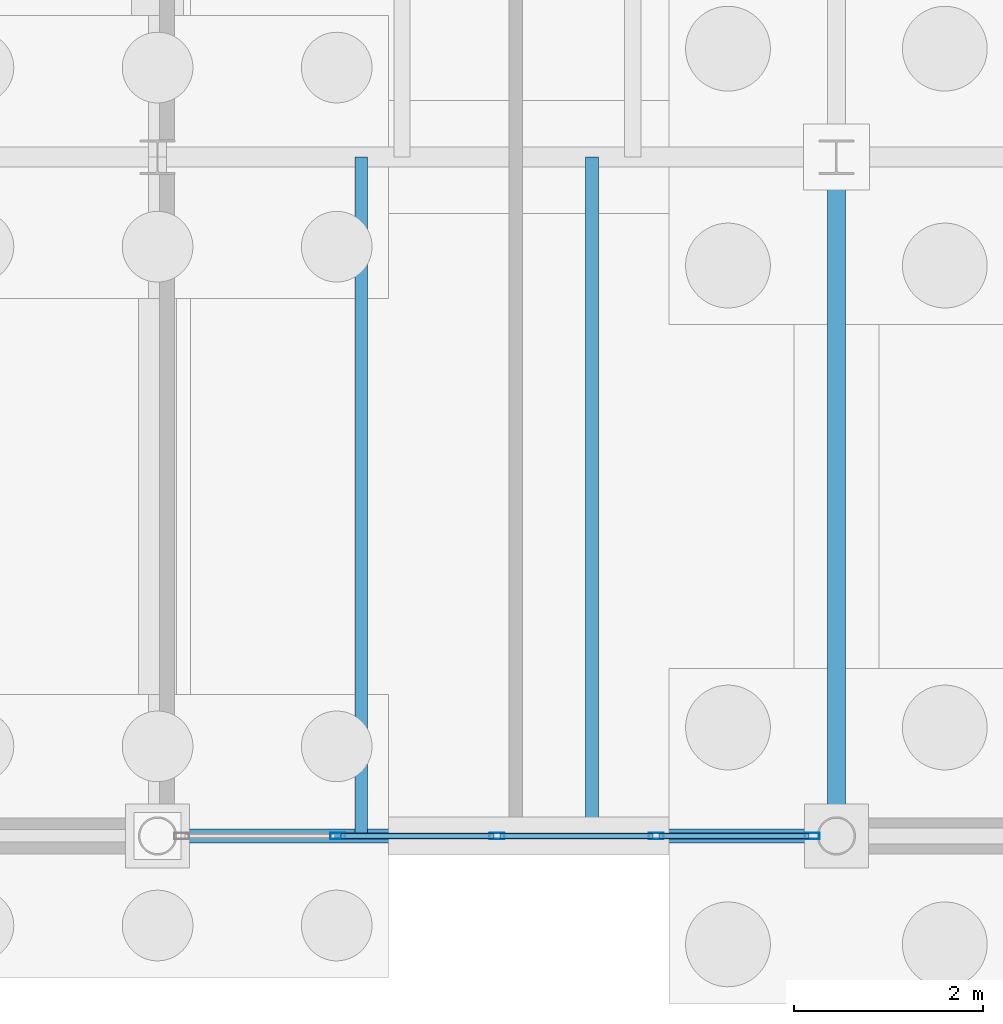
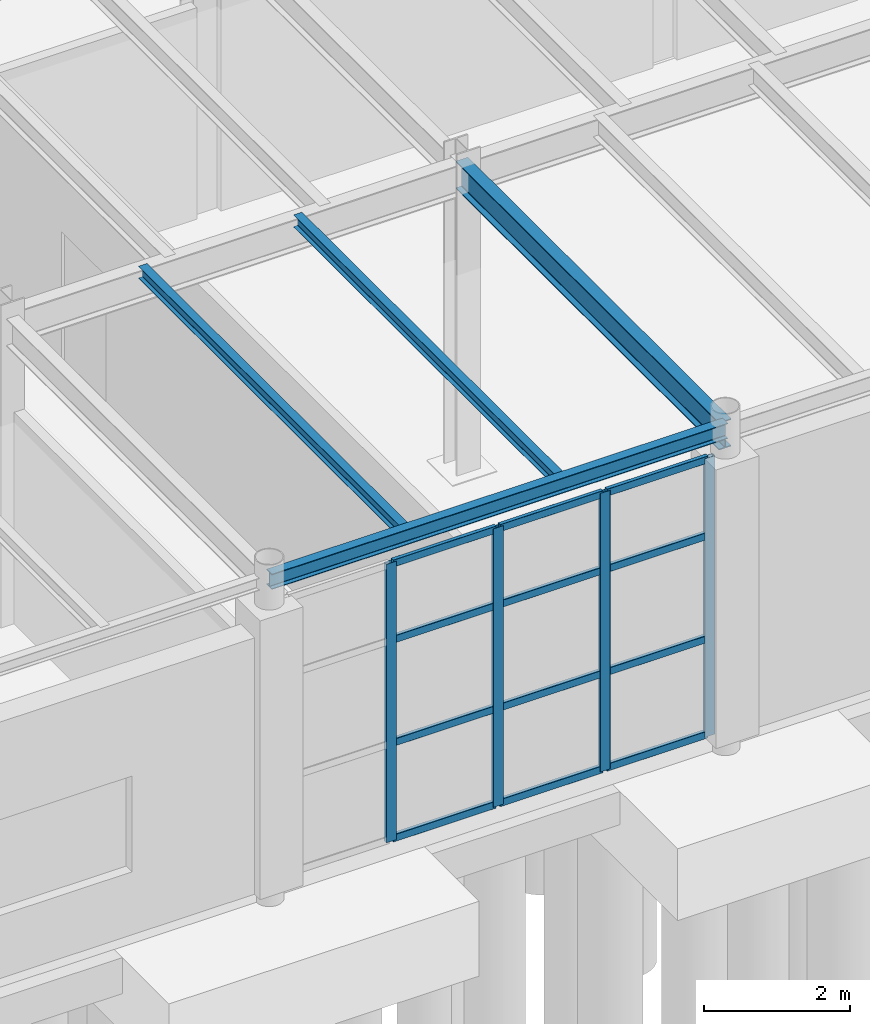
# One storey, part 43 of 293: 16 members, 4 beams, 1 element without a shape of its own.
"""IFC4 building model written with IfcOpenShell, lengths in metres."""

from ifc_helpers import new_model, si_unit, direction, frame, origin, origin_2d, place, context, subcontext, project, spatial, hollow_rectangle, i_section, extrude, material, layer, layer_set, material_profile, profile_set, type_object, element, aggregate, save


model = new_model("IFC4")

# Units and contexts
model_context = context("Model", 3, precision=1e-05, world=origin(), true_north=direction((0.0, 1.0)))
body_context = subcontext(model_context, "Body", "Model", "MODEL_VIEW")
ifc_project = project(units=[si_unit("LENGTHUNIT", "METRE"), si_unit("AREAUNIT", "SQUARE_METRE"), si_unit("VOLUMEUNIT", "CUBIC_METRE"), si_unit("PLANEANGLEUNIT", "RADIAN"), si_unit("MASSUNIT", "GRAM", prefix="KILO")], contexts=[model_context])

# Site, building, storey
site_placement = place(None, origin())
site = spatial("IfcSite", under=ifc_project, at=site_placement, CompositionType="ELEMENT")
building_placement = place(site_placement, origin())
building = spatial("IfcBuilding", under=site, at=building_placement, Name="Kemerveld Promenade Tramway Depot", CompositionType="ELEMENT")
storey_placement = place(building_placement, origin())
storey = spatial("IfcBuildingStorey", under=building, at=storey_placement, Name="L00", CompositionType="ELEMENT", Elevation=0.0)

# Beams
ifc_material_1 = material(Name="Steel S355", Category="steel")
ifc_material_profile_1 = material_profile(ifc_material_1, i_section(OverallWidth=0.19140625, OverallDepth=0.4599609375, WebThickness=0.010009765625, FlangeThickness=0.01611328125, FilletRadius=0.01025390625, at=origin_2d()), Name="457x191x82 UB")
ifc_profile_set_1 = profile_set([ifc_material_profile_1], Name="Steel S355")
beam_type_1 = type_object("IfcBeamType", Name="BM-G06", PredefinedType="BEAM", material=ifc_profile_set_1)
beam_1_placement = place(storey_placement, frame((21.60009765625, 0.0, 4.919921875), z_axis=(0.0, 1.0, 0.0), x_axis=(-1.0, 0.0, 0.0)))
element("IfcBeam", 1, at=beam_1_placement, inside=storey, type_object=beam_type_1, Name="BMY-L00-04-A-B", PredefinedType="BEAM", context=body_context, shape_type="SweptSolid", body=[
    extrude(i_section(OverallWidth=0.19140625, OverallDepth=0.4599609375, WebThickness=0.010009765625, FlangeThickness=0.01611328125, FilletRadius=0.01025390625, at=origin_2d()), origin(), (0.0, 0.0, 1.0), 7.199951171875),
])
ifc_material_profile_2 = material_profile(ifc_material_1, i_section(OverallWidth=0.146484375, OverallDepth=0.256103515625, WebThickness=0.00634765625, FlangeThickness=0.010986328125, FilletRadius=0.007568359375, at=origin_2d()), Name="254x146x37 UB")
ifc_profile_set_2 = profile_set([ifc_material_profile_2], Name="Steel S355")
beam_type_2 = type_object("IfcBeamType", Name="BM-G15", PredefinedType="BEAM", material=ifc_profile_set_2)
beam_2_placement = place(storey_placement, frame((14.39990234375, 0.0, 5.02197265625), z_axis=(1.0, 0.0, 0.0), x_axis=(0.0, 1.0, 0.0)))
element("IfcBeam", 2, at=beam_2_placement, inside=storey, type_object=beam_type_2, Name="BMX-L00-03-04-A", PredefinedType="BEAM", context=body_context, shape_type="SweptSolid", body=[
    extrude(i_section(OverallWidth=0.146484375, OverallDepth=0.256103515625, WebThickness=0.00634765625, FlangeThickness=0.010986328125, FilletRadius=0.007568359375, at=origin_2d()), origin(), (0.0, 0.0, 1.0), 7.2001953125),
])
ifc_material_profile_3 = material_profile(ifc_material_1, i_section(OverallWidth=0.13330078125, OverallDepth=0.203125, WebThickness=0.005615234375, FlangeThickness=0.0078125, FilletRadius=0.007568359375, at=origin_2d()), Name="203x133x25 UB")
ifc_profile_set_3 = profile_set([ifc_material_profile_3], Name="Steel S355")
beam_type_3 = type_object("IfcBeamType", Name="BM-J03", PredefinedType="JOIST", material=ifc_profile_set_3)
for number, where, z_axis, x_axis, name in (
    (3, (16.56005859375, 0.0, 5.04833984375), (0.0, 1.0, 0.0), (-1.0, 0.0, 0.0), "JST-L00-03-A-1"),
    (4, (19.008056640625, 0.0, 5.04833984375), (0.0, 1.0, 0.0), (-1.0, 0.0, 0.0), "JST-L00-03-A-2"),
):
    element("IfcBeam", number, at=place(storey_placement, frame(where, z_axis=z_axis, x_axis=x_axis)), inside=storey, type_object=beam_type_3, Name=name, PredefinedType="JOIST", context=body_context, shape_type="SweptSolid", body=[
        extrude(i_section(OverallWidth=0.13330078125, OverallDepth=0.203125, WebThickness=0.005615234375, FlangeThickness=0.0078125, FilletRadius=0.007568359375, at=origin_2d()), origin(), (0.0, 0.0, 1.0), 7.199951171875),
    ])

# Curtain wall, members
ifc_material_2 = material(Name="Bronze anodised aluminium and solar glass", Category="aluminium")
ifc_layer = layer(ifc_material_2, 0.159912109375)
ifc_layer_set = layer_set([ifc_layer], Name="CW-SYS-09")
curtain_wall_type = type_object("IfcCurtainWallType", Name="CW-SYS-09", PredefinedType="USERDEFINED", material=ifc_layer_set)
curtain_wall_placement = place(storey_placement, origin())
curtain_wall = element("IfcCurtainWall", 5, at=curtain_wall_placement, inside=storey, type_object=curtain_wall_type, Name="CW-L00-V5S-06", ObjectType="GLAZED_CURTAIN_WALL", PredefinedType="USERDEFINED")
ifc_material_3 = material(Name="Bronze anodised aluminium", Category="aluminium")
ifc_material_profile_4 = material_profile(ifc_material_3, hollow_rectangle(XDim=0.06494140625, YDim=0.159912109375, WallThickness=0.00390625, InnerFilletRadius=0.001953125, OuterFilletRadius=0.00390625, at=origin_2d()), Name="CW-MUL-160x65")
ifc_profile_set_4 = profile_set([ifc_material_profile_4], Name="Bronze anodised aluminium")
member_type_1 = type_object("IfcMemberType", Name="CW-MUL-A", PredefinedType="MULLION", material=ifc_profile_set_4)
member_1_placement = place(storey_placement, frame((21.34423828125, 0.0, 0.0), z_axis=(0.0, 0.0, 1.0), x_axis=(0.0, -1.0, 0.0)))
member_1 = element("IfcMember", 6, at=member_1_placement, type_object=member_type_1, Name="CW09 mullion 1", PredefinedType="MULLION", context=body_context, shape_type="SweptSolid", body=[
    extrude(hollow_rectangle(XDim=0.06494140625, YDim=0.159912109375, WallThickness=0.00390625, InnerFilletRadius=0.001953125, OuterFilletRadius=0.00390625, at=origin_2d()), origin(), (0.0, 0.0, 1.0), 4.64990234375),
])
member_2_placement = place(storey_placement, frame((19.6884765625, 0.0, 0.0), z_axis=(0.0, 0.0, 1.0), x_axis=(0.0, -1.0, 0.0)))
member_2 = element("IfcMember", 7, at=member_2_placement, type_object=member_type_1, Name="CW09 mullion 2", PredefinedType="MULLION", context=body_context, shape_type="SweptSolid", body=[
    extrude(hollow_rectangle(XDim=0.06494140625, YDim=0.159912109375, WallThickness=0.00390625, InnerFilletRadius=0.001953125, OuterFilletRadius=0.00390625, at=origin_2d()), origin(), (0.0, 0.0, 1.0), 4.64990234375),
])
member_3_placement = place(storey_placement, frame((18.0, 0.0, 0.0), z_axis=(0.0, 0.0, 1.0), x_axis=(0.0, -1.0, 0.0)))
member_3 = element("IfcMember", 8, at=member_3_placement, type_object=member_type_1, Name="CW09 mullion 3", PredefinedType="MULLION", context=body_context, shape_type="SweptSolid", body=[
    extrude(hollow_rectangle(XDim=0.06494140625, YDim=0.159912109375, WallThickness=0.00390625, InnerFilletRadius=0.001953125, OuterFilletRadius=0.00390625, at=origin_2d()), origin(), (0.0, 0.0, 1.0), 4.64990234375),
])
member_4_placement = place(storey_placement, frame((16.3115234375, 0.0, 0.0), z_axis=(0.0, 0.0, 1.0), x_axis=(0.0, -1.0, 0.0)))
member_4 = element("IfcMember", 9, at=member_4_placement, type_object=member_type_1, Name="CW09 mullion 4", PredefinedType="MULLION", context=body_context, shape_type="SweptSolid", body=[
    extrude(hollow_rectangle(XDim=0.06494140625, YDim=0.159912109375, WallThickness=0.00390625, InnerFilletRadius=0.001953125, OuterFilletRadius=0.00390625, at=origin_2d()), origin(), (0.0, 0.0, 1.0), 4.64990234375),
])
ifc_material_profile_5 = material_profile(ifc_material_3, hollow_rectangle(XDim=0.06005859375, YDim=0.1201171875, WallThickness=0.00390625, InnerFilletRadius=0.001953125, OuterFilletRadius=0.00390625, at=origin_2d()), Name="CW-TRN-120x60")
ifc_profile_set_5 = profile_set([ifc_material_profile_5], Name="Bronze anodised aluminium")
member_type_2 = type_object("IfcMemberType", Name="CW-TRN-A", PredefinedType="USERDEFINED", material=ifc_profile_set_5)
member_5_placement = place(storey_placement, frame((21.311767578125, 0.0, 0.030029296875), z_axis=(-1.0, 0.0, 0.0), x_axis=(0.0, -1.0, 0.0)))
member_5 = element("IfcMember", 10, at=member_5_placement, type_object=member_type_2, Name="CW09 transom 1.1", ObjectType="TRANSOM", PredefinedType="USERDEFINED", context=body_context, shape_type="SweptSolid", body=[
    extrude(hollow_rectangle(XDim=0.06005859375, YDim=0.1201171875, WallThickness=0.00390625, InnerFilletRadius=0.001953125, OuterFilletRadius=0.00390625, at=origin_2d()), origin(), (0.0, 0.0, 1.0), 1.5908203125),
])
member_6_placement = place(storey_placement, frame((21.311767578125, 0.0, 1.626953125), z_axis=(-1.0, 0.0, 0.0), x_axis=(0.0, -1.0, 0.0)))
member_6 = element("IfcMember", 11, at=member_6_placement, type_object=member_type_2, Name="CW09 transom 1.2", ObjectType="TRANSOM", PredefinedType="USERDEFINED", context=body_context, shape_type="SweptSolid", body=[
    extrude(hollow_rectangle(XDim=0.06005859375, YDim=0.1201171875, WallThickness=0.00390625, InnerFilletRadius=0.001953125, OuterFilletRadius=0.00390625, at=origin_2d()), origin(), (0.0, 0.0, 1.0), 1.5908203125),
])
member_7_placement = place(storey_placement, frame((21.311767578125, 0.0, 3.347900390625), z_axis=(-1.0, 0.0, 0.0), x_axis=(0.0, -1.0, 0.0)))
member_7 = element("IfcMember", 12, at=member_7_placement, type_object=member_type_2, Name="CW09 transom 1.3", ObjectType="TRANSOM", PredefinedType="USERDEFINED", context=body_context, shape_type="SweptSolid", body=[
    extrude(hollow_rectangle(XDim=0.06005859375, YDim=0.1201171875, WallThickness=0.00390625, InnerFilletRadius=0.001953125, OuterFilletRadius=0.00390625, at=origin_2d()), origin(), (0.0, 0.0, 1.0), 1.5908203125),
])
member_8_placement = place(storey_placement, frame((21.311767578125, 0.0, 4.6201171875), z_axis=(-1.0, 0.0, 0.0), x_axis=(0.0, -1.0, 0.0)))
member_8 = element("IfcMember", 13, at=member_8_placement, type_object=member_type_2, Name="CW09 transom 1.4", ObjectType="TRANSOM", PredefinedType="USERDEFINED", context=body_context, shape_type="SweptSolid", body=[
    extrude(hollow_rectangle(XDim=0.06005859375, YDim=0.1201171875, WallThickness=0.00390625, InnerFilletRadius=0.001953125, OuterFilletRadius=0.00390625, at=origin_2d()), origin(), (0.0, 0.0, 1.0), 1.5908203125),
])
member_9_placement = place(storey_placement, frame((19.656005859375, 0.0, 0.030029296875), z_axis=(-1.0, 0.0, 0.0), x_axis=(0.0, -1.0, 0.0)))
member_9 = element("IfcMember", 14, at=member_9_placement, type_object=member_type_2, Name="CW09 transom 2.1", ObjectType="TRANSOM", PredefinedType="USERDEFINED", context=body_context, shape_type="SweptSolid", body=[
    extrude(hollow_rectangle(XDim=0.06005859375, YDim=0.1201171875, WallThickness=0.00390625, InnerFilletRadius=0.001953125, OuterFilletRadius=0.00390625, at=origin_2d()), origin(), (0.0, 0.0, 1.0), 1.62353515625),
])
member_10_placement = place(storey_placement, frame((19.656005859375, 0.0, 1.626953125), z_axis=(-1.0, 0.0, 0.0), x_axis=(0.0, -1.0, 0.0)))
member_10 = element("IfcMember", 15, at=member_10_placement, type_object=member_type_2, Name="CW09 transom 2.2", ObjectType="TRANSOM", PredefinedType="USERDEFINED", context=body_context, shape_type="SweptSolid", body=[
    extrude(hollow_rectangle(XDim=0.06005859375, YDim=0.1201171875, WallThickness=0.00390625, InnerFilletRadius=0.001953125, OuterFilletRadius=0.00390625, at=origin_2d()), origin(), (0.0, 0.0, 1.0), 1.62353515625),
])
member_11_placement = place(storey_placement, frame((19.656005859375, 0.0, 3.347900390625), z_axis=(-1.0, 0.0, 0.0), x_axis=(0.0, -1.0, 0.0)))
member_11 = element("IfcMember", 16, at=member_11_placement, type_object=member_type_2, Name="CW09 transom 2.3", ObjectType="TRANSOM", PredefinedType="USERDEFINED", context=body_context, shape_type="SweptSolid", body=[
    extrude(hollow_rectangle(XDim=0.06005859375, YDim=0.1201171875, WallThickness=0.00390625, InnerFilletRadius=0.001953125, OuterFilletRadius=0.00390625, at=origin_2d()), origin(), (0.0, 0.0, 1.0), 1.62353515625),
])
member_12_placement = place(storey_placement, frame((19.656005859375, 0.0, 4.6201171875), z_axis=(-1.0, 0.0, 0.0), x_axis=(0.0, -1.0, 0.0)))
member_12 = element("IfcMember", 17, at=member_12_placement, type_object=member_type_2, Name="CW09 transom 2.4", ObjectType="TRANSOM", PredefinedType="USERDEFINED", context=body_context, shape_type="SweptSolid", body=[
    extrude(hollow_rectangle(XDim=0.06005859375, YDim=0.1201171875, WallThickness=0.00390625, InnerFilletRadius=0.001953125, OuterFilletRadius=0.00390625, at=origin_2d()), origin(), (0.0, 0.0, 1.0), 1.62353515625),
])
member_13_placement = place(storey_placement, frame((17.967529296875, 0.0, 0.030029296875), z_axis=(-1.0, 0.0, 0.0), x_axis=(0.0, -1.0, 0.0)))
member_13 = element("IfcMember", 18, at=member_13_placement, type_object=member_type_2, Name="CW09 transom 3.1", ObjectType="TRANSOM", PredefinedType="USERDEFINED", context=body_context, shape_type="SweptSolid", body=[
    extrude(hollow_rectangle(XDim=0.06005859375, YDim=0.1201171875, WallThickness=0.00390625, InnerFilletRadius=0.001953125, OuterFilletRadius=0.00390625, at=origin_2d()), origin(), (0.0, 0.0, 1.0), 1.62353515625),
])
member_14_placement = place(storey_placement, frame((17.967529296875, 0.0, 1.626953125), z_axis=(-1.0, 0.0, 0.0), x_axis=(0.0, -1.0, 0.0)))
member_14 = element("IfcMember", 19, at=member_14_placement, type_object=member_type_2, Name="CW09 transom 3.2", ObjectType="TRANSOM", PredefinedType="USERDEFINED", context=body_context, shape_type="SweptSolid", body=[
    extrude(hollow_rectangle(XDim=0.06005859375, YDim=0.1201171875, WallThickness=0.00390625, InnerFilletRadius=0.001953125, OuterFilletRadius=0.00390625, at=origin_2d()), origin(), (0.0, 0.0, 1.0), 1.62353515625),
])
member_15_placement = place(storey_placement, frame((17.967529296875, 0.0, 3.347900390625), z_axis=(-1.0, 0.0, 0.0), x_axis=(0.0, -1.0, 0.0)))
member_15 = element("IfcMember", 20, at=member_15_placement, type_object=member_type_2, Name="CW09 transom 3.3", ObjectType="TRANSOM", PredefinedType="USERDEFINED", context=body_context, shape_type="SweptSolid", body=[
    extrude(hollow_rectangle(XDim=0.06005859375, YDim=0.1201171875, WallThickness=0.00390625, InnerFilletRadius=0.001953125, OuterFilletRadius=0.00390625, at=origin_2d()), origin(), (0.0, 0.0, 1.0), 1.62353515625),
])
member_16_placement = place(storey_placement, frame((17.967529296875, 0.0, 4.6201171875), z_axis=(-1.0, 0.0, 0.0), x_axis=(0.0, -1.0, 0.0)))
member_16 = element("IfcMember", 21, at=member_16_placement, type_object=member_type_2, Name="CW09 transom 3.4", ObjectType="TRANSOM", PredefinedType="USERDEFINED", context=body_context, shape_type="SweptSolid", body=[
    extrude(hollow_rectangle(XDim=0.06005859375, YDim=0.1201171875, WallThickness=0.00390625, InnerFilletRadius=0.001953125, OuterFilletRadius=0.00390625, at=origin_2d()), origin(), (0.0, 0.0, 1.0), 1.62353515625),
])
aggregate(curtain_wall, [member_1, member_2, member_3, member_4, member_5, member_6, member_7, member_8, member_9, member_10, member_11, member_12, member_13, member_14, member_15, member_16])

save(model, "model.ifc")
